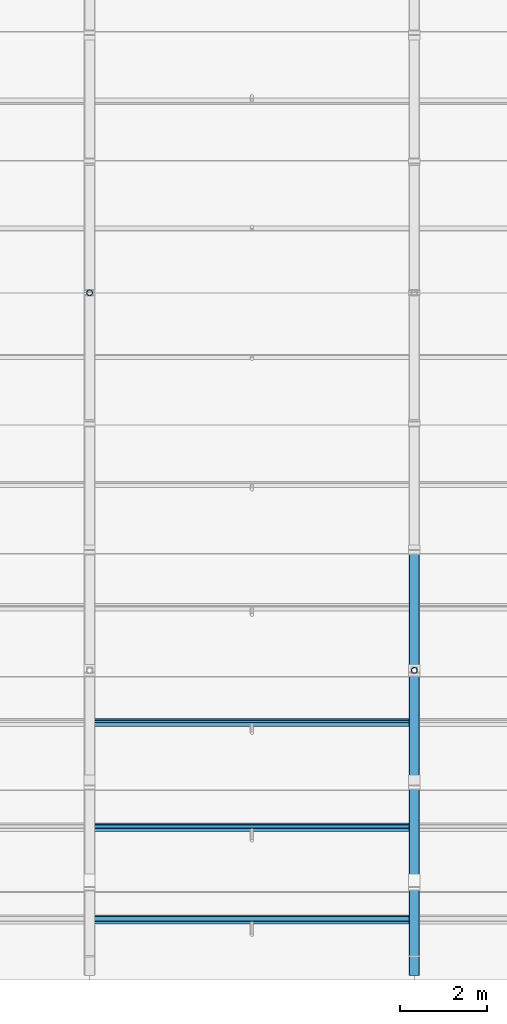
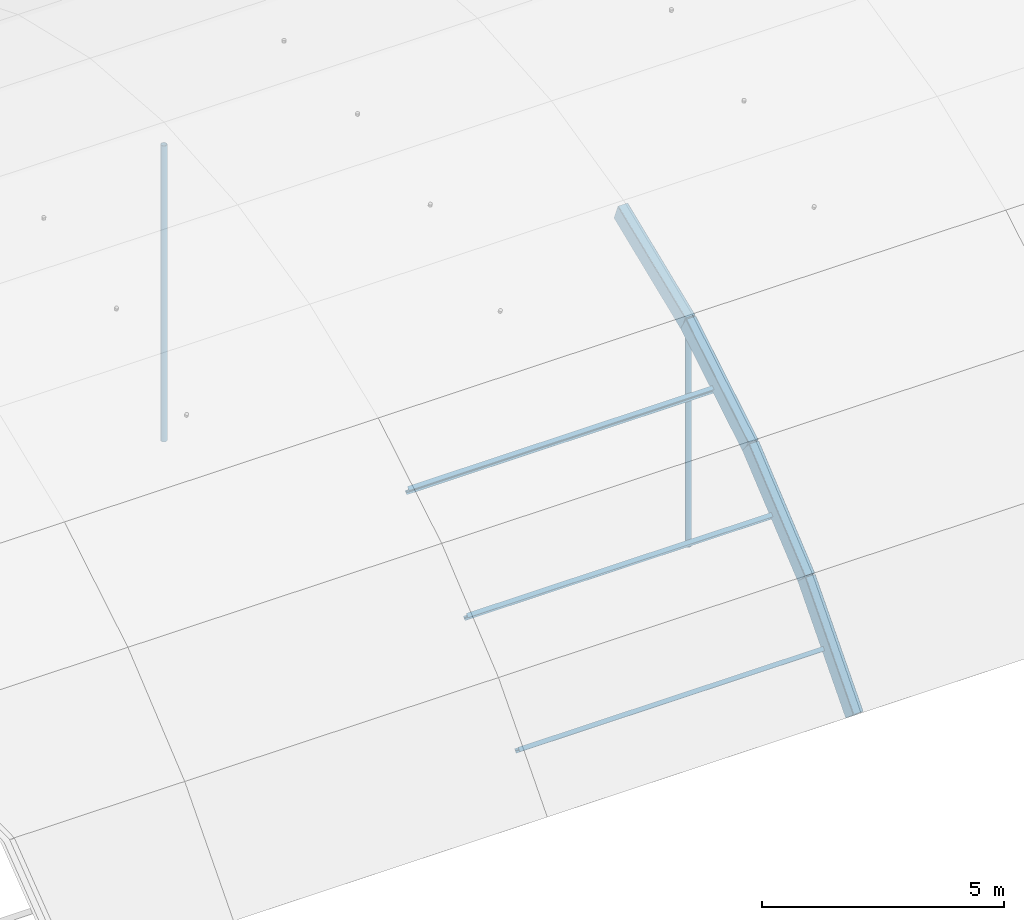
# One storey, part 9 of 77: 5 members, 4 beams.
"""IFC4 building model written with IfcOpenShell, lengths in metres."""

from ifc_helpers import new_model, si_unit, direction, frame, origin, origin_2d, place, context, subcontext, project, spatial, hollow_rectangle, hollow_circle, i_section, extrude, material, material_profile, profile_set, type_object, element, save


model = new_model("IFC4")

# Units and contexts
model_context = context("Model", 3, precision=1e-05, world=origin(), true_north=direction((0.0, 1.0)))
body_context = subcontext(model_context, "Body", "Model", "MODEL_VIEW")
ifc_project = project(units=[si_unit("LENGTHUNIT", "METRE"), si_unit("AREAUNIT", "SQUARE_METRE"), si_unit("VOLUMEUNIT", "CUBIC_METRE"), si_unit("PLANEANGLEUNIT", "RADIAN"), si_unit("MASSUNIT", "GRAM", prefix="KILO")], contexts=[model_context])

# Site, building, storey
site_placement = place(None, origin())
site = spatial("IfcSite", under=ifc_project, at=site_placement, CompositionType="ELEMENT")
building_placement = place(site_placement, origin())
building = spatial("IfcBuilding", under=site, at=building_placement, Name="Yukiwa Park Conservatory and Herbarium", CompositionType="ELEMENT")
storey_placement = place(building_placement, frame((0.0, 0.0, 13.199951171875)))
storey = spatial("IfcBuildingStorey", under=building, at=storey_placement, Name="L03", CompositionType="ELEMENT", Elevation=13.199951171875)

# Beams
ifc_material_1 = material(Name="Steel Q355D", Category="steel")
ifc_material_profile_1 = material_profile(ifc_material_1, hollow_rectangle(XDim=0.25, YDim=0.449951171875, WallThickness=0.013916015625, InnerFilletRadius=0.013916015625, OuterFilletRadius=0.028076171875, at=origin_2d()), Name="RHS 450x250x14")
ifc_profile_set_1 = profile_set([ifc_material_profile_1], Name="Steel Q355D")
beam_type = type_object("IfcBeamType", Name="BM-VLT-ARCH450", PredefinedType="BEAM", material=ifc_profile_set_1)
beam_1_placement = place(storey_placement, frame((22.5, 0.0, -4.199951171875), z_axis=(0.0, 0.659978721293, 0.751284292023), x_axis=(-1.0, 0.0, 0.0)))
element("IfcBeam", 1, at=beam_1_placement, inside=storey, type_object=beam_type, Name="Conservatory barrel vault arch rib 4 chord 1", PredefinedType="BEAM", context=body_context, shape_type="SweptSolid", body=[
    extrude(hollow_rectangle(XDim=0.25, YDim=0.449951171875, WallThickness=0.013916015625, InnerFilletRadius=0.013916015625, OuterFilletRadius=0.028076171875, at=origin_2d()), origin(), (0.0, 0.0, 1.0), 3.0107421875),
])
beam_2_placement = place(storey_placement, frame((22.5, 1.987060546875, -1.93798828125), z_axis=(0.0, 0.767749110539, 0.640750578047), x_axis=(-1.0, 0.0, 0.0)))
element("IfcBeam", 2, at=beam_2_placement, inside=storey, type_object=beam_type, Name="Conservatory barrel vault arch rib 4 chord 2", PredefinedType="BEAM", context=body_context, shape_type="SweptSolid", body=[
    extrude(hollow_rectangle(XDim=0.25, YDim=0.449951171875, WallThickness=0.013916015625, InnerFilletRadius=0.013916015625, OuterFilletRadius=0.028076171875, at=origin_2d()), origin(), (0.0, 0.0, 1.0), 3.010498046875),
])
for number, where, z_axis, x_axis, name in (
    (3, (22.5, 4.29833984375, -0.009033203125), (0.0, 0.857249569488, 0.514901131881), (-1.0, 0.0, 0.0), "Conservatory barrel vault arch rib 4 chord 3"),
    (4, (22.5, 6.87939453125, 1.541259765625), (0.0, 0.926257021224, 0.376892465609), (-1.0, 0.0, 0.0), "Conservatory barrel vault arch rib 4 chord 4"),
):
    element("IfcBeam", number, at=place(storey_placement, frame(where, z_axis=z_axis, x_axis=x_axis)), inside=storey, type_object=beam_type, Name=name, PredefinedType="BEAM", context=body_context, shape_type="SweptSolid", body=[
        extrude(hollow_rectangle(XDim=0.25, YDim=0.449951171875, WallThickness=0.013916015625, InnerFilletRadius=0.013916015625, OuterFilletRadius=0.028076171875, at=origin_2d()), origin(), (0.0, 0.0, 1.0), 3.0107421875),
    ])

# Members
ifc_material_2 = material(Name="Steel Q355D", Category="steel")
ifc_material_profile_2 = material_profile(ifc_material_2, i_section(OverallWidth=0.10009765625, OverallDepth=0.199951171875, WebThickness=0.005615234375, FlangeThickness=0.008056640625, FilletRadius=0.010986328125, at=origin_2d()), Name="HN 200x100x5.5x8")
ifc_profile_set_2 = profile_set([ifc_material_profile_2], Name="Steel Q355D")
member_type_1 = type_object("IfcMemberType", Name="MB-VLT-PURL200", PredefinedType="PURLIN", material=ifc_profile_set_2)
for number, where, z_axis, x_axis, name in (
    (5, (15.0849609375, 1.125732421875, -3.18505859375), (1.0, 0.0, 0.0), (0.0, 0.659967575996, 0.751294082656), "Conservatory vault longitudinal purlin 3.1"),
    (6, (15.0849609375, 3.25537109375, -1.108642578125), (1.0, 0.0, 0.0), (0.0, 0.767751470285, 0.640747750582), "Conservatory vault longitudinal purlin 3.2"),
    (7, (15.0849609375, 5.679443359375, 0.615234375), (1.0, 0.0, 0.0), (0.0, 0.857233812968, 0.514927363717), "Conservatory vault longitudinal purlin 3.3"),
):
    element("IfcMember", number, at=place(storey_placement, frame(where, z_axis=z_axis, x_axis=x_axis)), inside=storey, type_object=member_type_1, Name=name, PredefinedType="PURLIN", context=body_context, shape_type="SweptSolid", body=[
        extrude(i_section(OverallWidth=0.10009765625, OverallDepth=0.199951171875, WebThickness=0.005615234375, FlangeThickness=0.008056640625, FilletRadius=0.010986328125, at=origin_2d()), origin(), (0.0, 0.0, 1.0), 7.330078125),
    ])
ifc_material_3 = material(Name="Steel Q355D", Category="steel")
ifc_material_profile_3 = material_profile(ifc_material_3, hollow_circle(Radius=0.06982421875, WallThickness=0.008056640625, at=origin_2d()), Name="CHS 139.7x8")
ifc_profile_set_3 = profile_set([ifc_material_profile_3], Name="Steel Q355D")
member_type_2 = type_object("IfcMemberType", Name="MB-VLT-STRUT140", PredefinedType="STRUT", material=ifc_profile_set_3)
member_1_placement = place(storey_placement, frame((15.0, 15.60009765625, -4.095947265625), z_axis=(0.0, 0.0, 1.0), x_axis=(1.0, 0.0, 0.0)))
element("IfcMember", 8, at=member_1_placement, inside=storey, type_object=member_type_2, Name="Conservatory vault bowstring hanger 3.6", PredefinedType="STRUT", context=body_context, shape_type="SweptSolid", body=[
    extrude(hollow_circle(Radius=0.06982421875, WallThickness=0.008056640625, at=origin_2d()), origin(), (0.0, 0.0, 1.0), 7.48095703125),
])
member_2_placement = place(storey_placement, frame((22.5, 6.87939453125, -4.095947265625), z_axis=(0.0, 0.0, 1.0), x_axis=(1.0, 0.0, 0.0)))
element("IfcMember", 9, at=member_2_placement, inside=storey, type_object=member_type_2, Name="Conservatory vault bowstring hanger 4.3", PredefinedType="STRUT", context=body_context, shape_type="SweptSolid", body=[
    extrude(hollow_circle(Radius=0.06982421875, WallThickness=0.008056640625, at=origin_2d()), origin(), (0.0, 0.0, 1.0), 5.42236328125),
])

save(model, "model.ifc")
